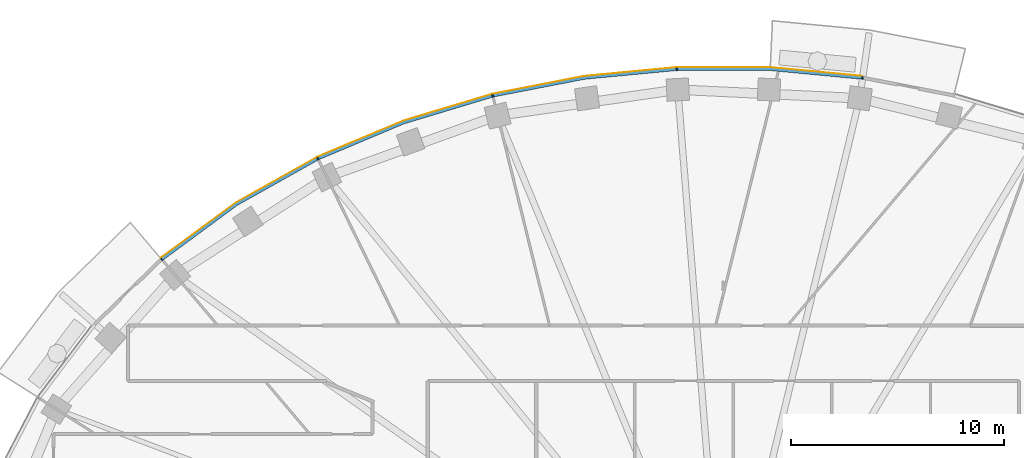
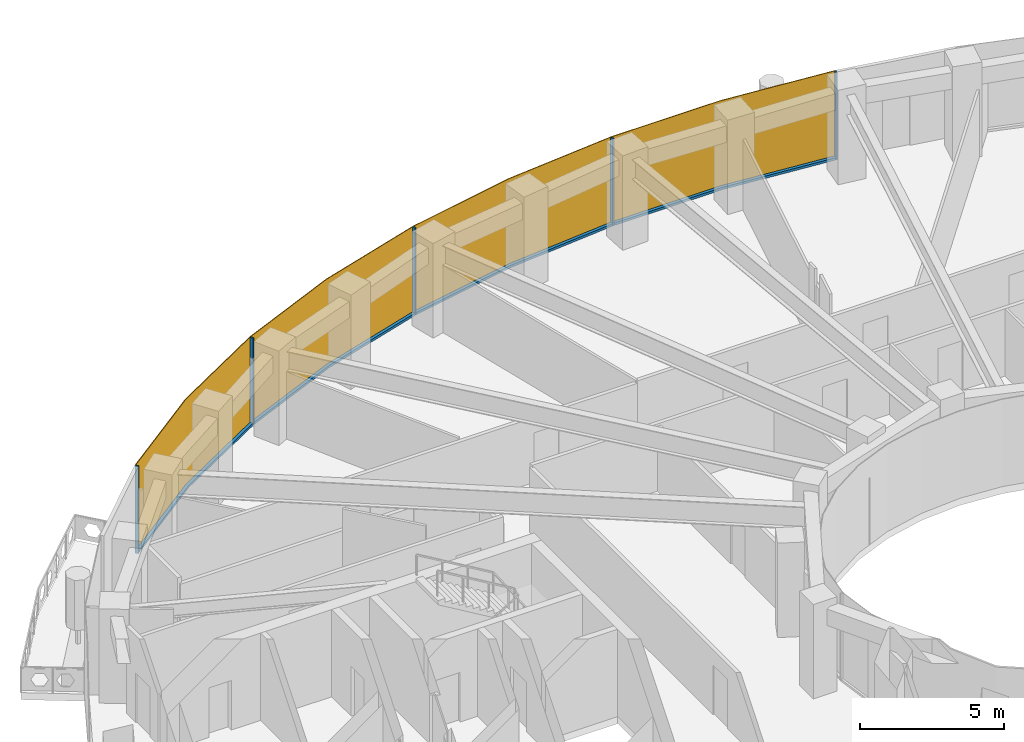
# One storey, part 11 of 16: 9 members, 1 curtain wall.
"""IFC4 building model written with IfcOpenShell, lengths in metres."""

from ifc_helpers import new_model, si_unit, direction, frame, origin, origin_2d, place, context, subcontext, project, spatial, polyline, rectangle, outline, extrude, material, layer, layer_set, material_profile, profile_set, type_object, element, aggregate, save


model = new_model("IFC4")

# Units and contexts
model_context = context("Model", 3, precision=1e-05, world=origin(), true_north=direction((0.0, 1.0)))
body_context = subcontext(model_context, "Body", "Model", "MODEL_VIEW")
ifc_project = project(units=[si_unit("LENGTHUNIT", "METRE"), si_unit("AREAUNIT", "SQUARE_METRE"), si_unit("VOLUMEUNIT", "CUBIC_METRE"), si_unit("PLANEANGLEUNIT", "RADIAN"), si_unit("MASSUNIT", "GRAM", prefix="KILO")], contexts=[model_context])

# Member
ifc_material_1 = material(Name="Aluminium 6063-T6 black anodised", Category="aluminium")
ifc_material_profile = material_profile(ifc_material_1, rectangle(XDim=0.1201171875, YDim=0.06005859375, at=origin_2d()), Name="120x60")
ifc_profile_set = profile_set([ifc_material_profile], Name="Aluminium 6063-T6 black anodised")
member_type_1 = type_object("IfcMemberType", Name="ENV-MULLION-A-120", PredefinedType="MULLION", material=ifc_profile_set)
site_placement = place(None, origin())
building_placement = place(site_placement, origin())
storey_placement = place(building_placement, frame((0.0, 0.0, 273.5)))
member_1_placement = place(storey_placement, frame((6.54638671875, 27.440185546875, 0.0), z_axis=(0.0, 0.0, 1.0), x_axis=(-0.143082012705, -0.989710835366, 0.0)))
member_1 = element("IfcMember", 1, at=member_1_placement, type_object=member_type_1, Name="Mullion A radial 11", PredefinedType="MULLION", context=body_context, shape_type="SweptSolid", body=[
    extrude(rectangle(XDim=0.1201171875, YDim=0.06005859375, at=origin_2d()), origin(), (0.0, 0.0, 1.0), 3.699951171875),
])

member_2_placement = place(storey_placement, frame((-2.188720703125, 27.856201171875, 0.0), z_axis=(0.0, 0.0, 1.0), x_axis=(0.047557873581, -0.998868484166, 0.0)))
member_2 = element("IfcMember", 2, at=member_2_placement, type_object=member_type_1, Name="Mullion A radial 13", PredefinedType="MULLION", context=body_context, shape_type="SweptSolid", body=[
    extrude(rectangle(XDim=0.1201171875, YDim=0.06005859375, at=origin_2d()), origin(), (0.0, 0.0, 1.0), 3.699951171875),
])

member_3_placement = place(storey_placement, frame((-10.84326171875, 26.60498046875, 0.0), z_axis=(0.0, 0.0, 1.0), x_axis=(0.239799081534, -0.970822538106, 0.0)))
member_3 = element("IfcMember", 3, at=member_3_placement, type_object=member_type_1, Name="Mullion A radial 15", PredefinedType="MULLION", context=body_context, shape_type="SweptSolid", body=[
    extrude(rectangle(XDim=0.1201171875, YDim=0.06005859375, at=origin_2d()), origin(), (0.0, 0.0, 1.0), 3.699951171875),
])

member_4_placement = place(storey_placement, frame((-19.06787109375, 23.6474609375, 0.0), z_axis=(0.0, 0.0, 1.0), x_axis=(0.439237769837, -0.898370848563, 0.0)))
member_4 = element("IfcMember", 4, at=member_4_placement, type_object=member_type_1, Name="Mullion A radial 17", PredefinedType="MULLION", context=body_context, shape_type="SweptSolid", body=[
    extrude(rectangle(XDim=0.1201171875, YDim=0.06005859375, at=origin_2d()), origin(), (0.0, 0.0, 1.0), 3.699951171875),
])

member_5_placement = place(storey_placement, frame((-26.403564453125, 18.9130859375, 0.0), z_axis=(0.0, 0.0, 1.0), x_axis=(0.646451313783, -0.762955240435, 0.0)))
member_5 = element("IfcMember", 5, at=member_5_placement, type_object=member_type_1, Name="Mullion A radial 19", PredefinedType="MULLION", context=body_context, shape_type="SweptSolid", body=[
    extrude(rectangle(XDim=0.1201171875, YDim=0.06005859375, at=origin_2d()), origin(), (0.0, 0.0, 1.0), 3.699951171875),
])

ifc_material_2 = material(Name="Aluminium 6063-T6 black anodised", Category="aluminium")
member_type_2 = type_object("IfcMemberType", Name="ENV-TRANSOM-A", PredefinedType="USERDEFINED", material=ifc_material_2)
member_6_placement = place(storey_placement, origin())
member_6 = element("IfcMember", 6, at=member_6_placement, type_object=member_type_2, Name="Transom A radial 11-13", ObjectType="TRANSOM", PredefinedType="USERDEFINED", context=body_context, shape_type="SweptSolid", body=[
    extrude(outline(polyline([(6.527099609375, 27.502197265625), (2.191650390625, 27.916015625), (-2.163818359375, 27.916015625), (-2.157958984375, 27.7958984375), (2.185791015625, 27.7958984375), (6.510009765625, 27.38330078125), (6.527099609375, 27.502197265625)])), origin(), (0.0, 0.0, 1.0), 0.10009765625),
])

member_7_placement = place(storey_placement, origin())
member_7 = element("IfcMember", 7, at=member_7_placement, type_object=member_type_2, Name="Transom A radial 13-15", ObjectType="TRANSOM", PredefinedType="USERDEFINED", context=body_context, shape_type="SweptSolid", body=[
    extrude(outline(polyline([(-2.219482421875, 27.913330078125), (-6.55517578125, 27.49951171875), (-10.830078125, 26.66845703125), (-10.80126953125, 26.552001953125), (-6.537841796875, 27.380615234375), (-2.2138671875, 27.793212890625), (-2.219482421875, 27.913330078125)])), origin(), (0.0, 0.0, 1.0), 0.10009765625),
])

member_8_placement = place(storey_placement, origin())
member_8 = element("IfcMember", 8, at=member_8_placement, type_object=member_type_2, Name="Transom A radial 15-17", ObjectType="TRANSOM", PredefinedType="USERDEFINED", context=body_context, shape_type="SweptSolid", body=[
    extrude(outline(polyline([(-10.884521484375, 26.655029296875), (-15.054443359375, 25.400146484375), (-19.068359375, 23.71240234375), (-19.015380859375, 23.604248046875), (-15.013916015625, 25.287109375), (-10.855712890625, 26.53857421875), (-10.884521484375, 26.655029296875)])), origin(), (0.0, 0.0, 1.0), 0.10009765625),
])

member_9_placement = place(storey_placement, origin())
member_9 = element("IfcMember", 9, at=member_9_placement, type_object=member_type_2, Name="Transom A radial 17-19", ObjectType="TRANSOM", PredefinedType="USERDEFINED", context=body_context, shape_type="SweptSolid", body=[
    extrude(outline(polyline([(-19.11865234375, 23.687744140625), (-22.9150390625, 21.556884765625), (-26.419921875, 18.975341796875), (-26.342041015625, 18.883544921875), (-22.85009765625, 21.455810546875), (-19.06591796875, 23.57958984375), (-19.11865234375, 23.687744140625)])), origin(), (0.0, 0.0, 1.0), 0.10009765625),
])

# Site, building, storey
site = spatial("IfcSite", under=ifc_project, at=site_placement, CompositionType="ELEMENT")
building = spatial("IfcBuilding", under=site, at=building_placement, Name="Noorbagh Ring Tower", CompositionType="ELEMENT")
storey = spatial("IfcBuildingStorey", under=building, at=storey_placement, Name="L58", CompositionType="ELEMENT", Elevation=273.5)

# Curtain wall
ifc_material_3 = material(Name="Glass dark tinted laminated", Category="glass")
ifc_layer = layer(ifc_material_3, 0.031982421875)
ifc_layer_set = layer_set([ifc_layer], Name="Glass dark tinted laminated")
curtain_wall_type = type_object("IfcCurtainWallType", Name="ENV-CW-A", PredefinedType="NOTDEFINED", material=ifc_layer_set)
curtain_wall_placement = place(storey_placement, origin())
curtain_wall = element("IfcCurtainWall", 10, at=curtain_wall_placement, inside=storey, type_object=curtain_wall_type, Name="Curtain wall A R11", PredefinedType="NOTDEFINED", context=body_context, shape_type="SweptSolid", body=[
    extrude(outline(polyline([(6.539794921875, 27.533203125), (2.193115234375, 27.947998046875), (-2.193115234375, 27.947998046875), (-6.559814453125, 27.53125), (-10.865234375, 26.6943359375), (-15.065185546875, 25.430419921875), (-19.108154296875, 23.730224609375), (-22.9326171875, 21.583740234375), (-26.447021484375, 18.9951171875), (-26.42626953125, 18.970703125), (-22.9150390625, 21.556884765625), (-19.093994140625, 23.701416015625), (-15.054443359375, 25.400146484375), (-10.857666015625, 26.6630859375), (-6.55517578125, 27.49951171875), (-2.191650390625, 27.916015625), (2.191650390625, 27.916015625), (6.53515625, 27.50146484375), (6.539794921875, 27.533203125)])), origin(), (0.0, 0.0, 1.0), 3.699951171875),
])

aggregate(curtain_wall, [member_1, member_2, member_3, member_4, member_5, member_6, member_7, member_8, member_9])

save(model, "model.ifc")
